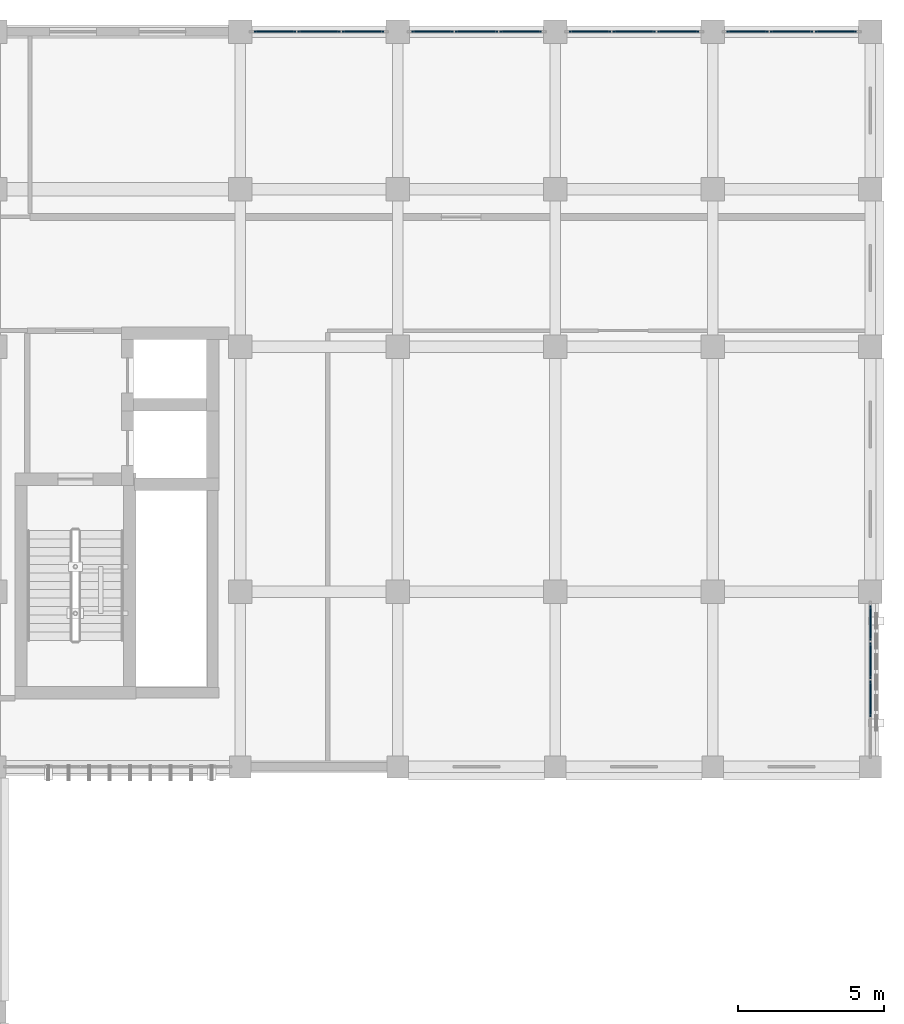
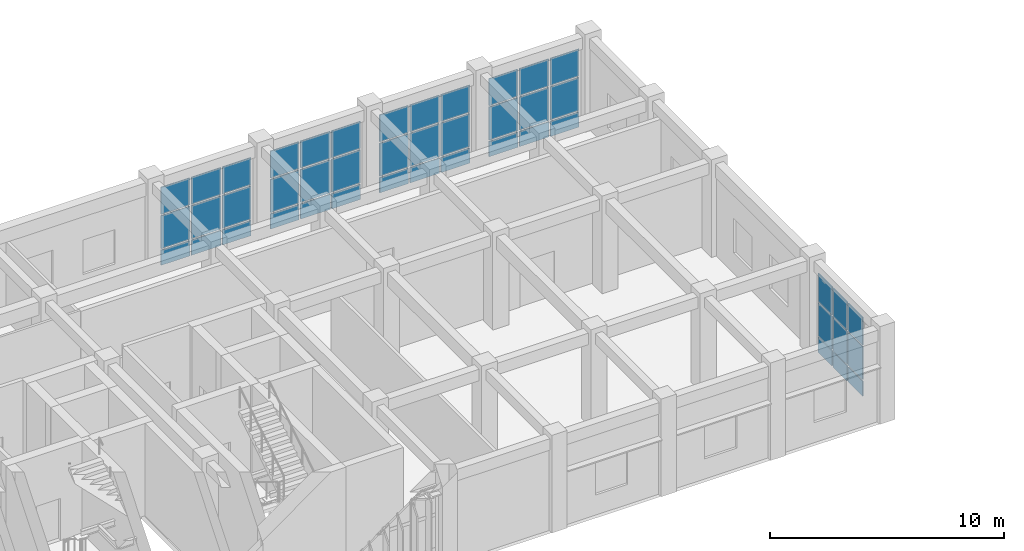
# One storey, part 65 of 93: 45 plates, 5 elements without a shape of their own.
"""IFC4 building model written with IfcOpenShell, lengths in metres."""

from ifc_helpers import new_model, si_unit, direction, frame, origin, origin_2d, place, context, subcontext, project, spatial, rectangle, extrude, material, layer, layer_set, type_object, element, aggregate, save


model = new_model("IFC4")

# Units and contexts
model_context = context("Model", 3, precision=1e-05, world=origin(), true_north=direction((0.0, 1.0)))
body_context = subcontext(model_context, "Body", "Model", "MODEL_VIEW")
ifc_project = project(units=[si_unit("LENGTHUNIT", "METRE"), si_unit("AREAUNIT", "SQUARE_METRE"), si_unit("VOLUMEUNIT", "CUBIC_METRE"), si_unit("PLANEANGLEUNIT", "RADIAN"), si_unit("MASSUNIT", "GRAM", prefix="KILO")], contexts=[model_context])

# Site, building, storey
site_placement = place(None, origin())
site = spatial("IfcSite", under=ifc_project, at=site_placement, CompositionType="ELEMENT")
building_placement = place(site_placement, origin())
building = spatial("IfcBuilding", under=site, at=building_placement, Name="Krzemoval Escarpment Law Courts", CompositionType="ELEMENT")
storey_placement = place(building_placement, frame((0.0, 0.0, 10.199951171875)))
storey = spatial("IfcBuildingStorey", under=building, at=storey_placement, Name="L02", CompositionType="ELEMENT", Elevation=10.199951171875)

# Curtain wall, plates
ifc_material_1 = material(Name="Aluminium 6063-T6", Category="aluminium")
ifc_layer_1 = layer(ifc_material_1, 0.239990234375)
ifc_layer_set_1 = layer_set([ifc_layer_1], Name="Aluminium 6063-T6")
curtain_wall_type = type_object("IfcCurtainWallType", Name="CW-CHMB-4800", PredefinedType="USERDEFINED", material=ifc_layer_set_1)
curtain_wall_1_placement = place(storey_placement, origin())
curtain_wall_1 = element("IfcCurtainWall", 1, at=curtain_wall_1_placement, inside=storey, type_object=curtain_wall_type, Name="Unitised Curtain Wall FCW-L02-088", ObjectType="UNITISED_CURTAIN_WALL", PredefinedType="USERDEFINED")
ifc_material_2 = material(Name="Triple Glazing IGU", Category="glass")
ifc_layer_2 = layer(ifc_material_2, 0.048095703125)
ifc_layer_set_2 = layer_set([ifc_layer_2], Name="Triple Glazing IGU")
plate_type = type_object("IfcPlateType", Name="CWP-GLZ-48", PredefinedType="CURTAIN_PANEL", material=ifc_layer_set_2)
plate_1_placement = place(storey_placement, frame((152.385498046875, 118.800048828125, 0.074951171875), z_axis=(0.0, 0.0, 1.0), x_axis=(1.0, 0.0, 0.0)))
plate_1 = element("IfcPlate", 2, at=plate_1_placement, type_object=plate_type, Name="FCW-L02-088 panel 1.1", PredefinedType="CURTAIN_PANEL", context=body_context, shape_type="SweptSolid", body=[
    extrude(rectangle(XDim=1.4208984375, YDim=0.048095703125, at=origin_2d()), origin(), (0.0, 0.0, 1.0), 0.78759765625),
])
plate_2_placement = place(storey_placement, frame((152.385498046875, 118.800048828125, 0.9375), z_axis=(0.0, 0.0, 1.0), x_axis=(1.0, 0.0, 0.0)))
plate_2 = element("IfcPlate", 3, at=plate_2_placement, type_object=plate_type, Name="FCW-L02-088 panel 1.2", PredefinedType="CURTAIN_PANEL", context=body_context, shape_type="SweptSolid", body=[
    extrude(rectangle(XDim=1.4208984375, YDim=0.048095703125, at=origin_2d()), origin(), (0.0, 0.0, 1.0), 1.72509765625),
])
plate_3_placement = place(storey_placement, frame((152.385498046875, 118.800048828125, 2.73779296875), z_axis=(0.0, 0.0, 1.0), x_axis=(1.0, 0.0, 0.0)))
plate_3 = element("IfcPlate", 4, at=plate_3_placement, type_object=plate_type, Name="FCW-L02-088 panel 1.3", PredefinedType="CURTAIN_PANEL", context=body_context, shape_type="SweptSolid", body=[
    extrude(rectangle(XDim=1.4208984375, YDim=0.048095703125, at=origin_2d()), origin(), (0.0, 0.0, 1.0), 1.407470703125),
])
plate_4_placement = place(storey_placement, frame((153.89990234375, 118.800048828125, 0.074951171875), z_axis=(0.0, 0.0, 1.0), x_axis=(1.0, 0.0, 0.0)))
plate_4 = element("IfcPlate", 5, at=plate_4_placement, type_object=plate_type, Name="FCW-L02-088 panel 2.1", PredefinedType="CURTAIN_PANEL", context=body_context, shape_type="SweptSolid", body=[
    extrude(rectangle(XDim=1.458251953125, YDim=0.048095703125, at=origin_2d()), origin(), (0.0, 0.0, 1.0), 0.78759765625),
])
plate_5_placement = place(storey_placement, frame((153.89990234375, 118.800048828125, 0.9375), z_axis=(0.0, 0.0, 1.0), x_axis=(1.0, 0.0, 0.0)))
plate_5 = element("IfcPlate", 6, at=plate_5_placement, type_object=plate_type, Name="FCW-L02-088 panel 2.2", PredefinedType="CURTAIN_PANEL", context=body_context, shape_type="SweptSolid", body=[
    extrude(rectangle(XDim=1.458251953125, YDim=0.048095703125, at=origin_2d()), origin(), (0.0, 0.0, 1.0), 1.72509765625),
])
plate_6_placement = place(storey_placement, frame((153.89990234375, 118.800048828125, 2.73779296875), z_axis=(0.0, 0.0, 1.0), x_axis=(1.0, 0.0, 0.0)))
plate_6 = element("IfcPlate", 7, at=plate_6_placement, type_object=plate_type, Name="FCW-L02-088 panel 2.3", PredefinedType="CURTAIN_PANEL", context=body_context, shape_type="SweptSolid", body=[
    extrude(rectangle(XDim=1.458251953125, YDim=0.048095703125, at=origin_2d()), origin(), (0.0, 0.0, 1.0), 1.407470703125),
])
plate_7_placement = place(storey_placement, frame((155.41455078125, 118.800048828125, 0.074951171875), z_axis=(0.0, 0.0, 1.0), x_axis=(1.0, 0.0, 0.0)))
plate_7 = element("IfcPlate", 8, at=plate_7_placement, type_object=plate_type, Name="FCW-L02-088 panel 3.1", PredefinedType="CURTAIN_PANEL", context=body_context, shape_type="SweptSolid", body=[
    extrude(rectangle(XDim=1.4208984375, YDim=0.048095703125, at=origin_2d()), origin(), (0.0, 0.0, 1.0), 0.78759765625),
])
plate_8_placement = place(storey_placement, frame((155.41455078125, 118.800048828125, 0.9375), z_axis=(0.0, 0.0, 1.0), x_axis=(1.0, 0.0, 0.0)))
plate_8 = element("IfcPlate", 9, at=plate_8_placement, type_object=plate_type, Name="FCW-L02-088 panel 3.2", PredefinedType="CURTAIN_PANEL", context=body_context, shape_type="SweptSolid", body=[
    extrude(rectangle(XDim=1.4208984375, YDim=0.048095703125, at=origin_2d()), origin(), (0.0, 0.0, 1.0), 1.72509765625),
])
plate_9_placement = place(storey_placement, frame((155.41455078125, 118.800048828125, 2.73779296875), z_axis=(0.0, 0.0, 1.0), x_axis=(1.0, 0.0, 0.0)))
plate_9 = element("IfcPlate", 10, at=plate_9_placement, type_object=plate_type, Name="FCW-L02-088 panel 3.3", PredefinedType="CURTAIN_PANEL", context=body_context, shape_type="SweptSolid", body=[
    extrude(rectangle(XDim=1.4208984375, YDim=0.048095703125, at=origin_2d()), origin(), (0.0, 0.0, 1.0), 1.407470703125),
])
aggregate(curtain_wall_1, [plate_1, plate_2, plate_3, plate_4, plate_5, plate_6, plate_7, plate_8, plate_9])

curtain_wall_2_placement = place(storey_placement, origin())
curtain_wall_2 = element("IfcCurtainWall", 11, at=curtain_wall_2_placement, inside=storey, type_object=curtain_wall_type, Name="Unitised Curtain Wall FCW-L02-089", ObjectType="UNITISED_CURTAIN_WALL", PredefinedType="USERDEFINED")
plate_10_placement = place(storey_placement, frame((157.785400390625, 118.800048828125, 0.074951171875), z_axis=(0.0, 0.0, 1.0), x_axis=(1.0, 0.0, 0.0)))
plate_10 = element("IfcPlate", 12, at=plate_10_placement, type_object=plate_type, Name="FCW-L02-089 panel 1.1", PredefinedType="CURTAIN_PANEL", context=body_context, shape_type="SweptSolid", body=[
    extrude(rectangle(XDim=1.4208984375, YDim=0.048095703125, at=origin_2d()), origin(), (0.0, 0.0, 1.0), 0.78759765625),
])
plate_11_placement = place(storey_placement, frame((157.785400390625, 118.800048828125, 0.9375), z_axis=(0.0, 0.0, 1.0), x_axis=(1.0, 0.0, 0.0)))
plate_11 = element("IfcPlate", 13, at=plate_11_placement, type_object=plate_type, Name="FCW-L02-089 panel 1.2", PredefinedType="CURTAIN_PANEL", context=body_context, shape_type="SweptSolid", body=[
    extrude(rectangle(XDim=1.4208984375, YDim=0.048095703125, at=origin_2d()), origin(), (0.0, 0.0, 1.0), 1.72509765625),
])
plate_12_placement = place(storey_placement, frame((157.785400390625, 118.800048828125, 2.73779296875), z_axis=(0.0, 0.0, 1.0), x_axis=(1.0, 0.0, 0.0)))
plate_12 = element("IfcPlate", 14, at=plate_12_placement, type_object=plate_type, Name="FCW-L02-089 panel 1.3", PredefinedType="CURTAIN_PANEL", context=body_context, shape_type="SweptSolid", body=[
    extrude(rectangle(XDim=1.4208984375, YDim=0.048095703125, at=origin_2d()), origin(), (0.0, 0.0, 1.0), 1.407470703125),
])
plate_13_placement = place(storey_placement, frame((159.300048828125, 118.800048828125, 0.074951171875), z_axis=(0.0, 0.0, 1.0), x_axis=(1.0, 0.0, 0.0)))
plate_13 = element("IfcPlate", 15, at=plate_13_placement, type_object=plate_type, Name="FCW-L02-089 panel 2.1", PredefinedType="CURTAIN_PANEL", context=body_context, shape_type="SweptSolid", body=[
    extrude(rectangle(XDim=1.458251953125, YDim=0.048095703125, at=origin_2d()), origin(), (0.0, 0.0, 1.0), 0.78759765625),
])
plate_14_placement = place(storey_placement, frame((159.300048828125, 118.800048828125, 0.9375), z_axis=(0.0, 0.0, 1.0), x_axis=(1.0, 0.0, 0.0)))
plate_14 = element("IfcPlate", 16, at=plate_14_placement, type_object=plate_type, Name="FCW-L02-089 panel 2.2", PredefinedType="CURTAIN_PANEL", context=body_context, shape_type="SweptSolid", body=[
    extrude(rectangle(XDim=1.458251953125, YDim=0.048095703125, at=origin_2d()), origin(), (0.0, 0.0, 1.0), 1.72509765625),
])
plate_15_placement = place(storey_placement, frame((159.300048828125, 118.800048828125, 2.73779296875), z_axis=(0.0, 0.0, 1.0), x_axis=(1.0, 0.0, 0.0)))
plate_15 = element("IfcPlate", 17, at=plate_15_placement, type_object=plate_type, Name="FCW-L02-089 panel 2.3", PredefinedType="CURTAIN_PANEL", context=body_context, shape_type="SweptSolid", body=[
    extrude(rectangle(XDim=1.458251953125, YDim=0.048095703125, at=origin_2d()), origin(), (0.0, 0.0, 1.0), 1.407470703125),
])
plate_16_placement = place(storey_placement, frame((160.814697265625, 118.800048828125, 0.074951171875), z_axis=(0.0, 0.0, 1.0), x_axis=(1.0, 0.0, 0.0)))
plate_16 = element("IfcPlate", 18, at=plate_16_placement, type_object=plate_type, Name="FCW-L02-089 panel 3.1", PredefinedType="CURTAIN_PANEL", context=body_context, shape_type="SweptSolid", body=[
    extrude(rectangle(XDim=1.4208984375, YDim=0.048095703125, at=origin_2d()), origin(), (0.0, 0.0, 1.0), 0.78759765625),
])
plate_17_placement = place(storey_placement, frame((160.814697265625, 118.800048828125, 0.9375), z_axis=(0.0, 0.0, 1.0), x_axis=(1.0, 0.0, 0.0)))
plate_17 = element("IfcPlate", 19, at=plate_17_placement, type_object=plate_type, Name="FCW-L02-089 panel 3.2", PredefinedType="CURTAIN_PANEL", context=body_context, shape_type="SweptSolid", body=[
    extrude(rectangle(XDim=1.4208984375, YDim=0.048095703125, at=origin_2d()), origin(), (0.0, 0.0, 1.0), 1.72509765625),
])
plate_18_placement = place(storey_placement, frame((160.814697265625, 118.800048828125, 2.73779296875), z_axis=(0.0, 0.0, 1.0), x_axis=(1.0, 0.0, 0.0)))
plate_18 = element("IfcPlate", 20, at=plate_18_placement, type_object=plate_type, Name="FCW-L02-089 panel 3.3", PredefinedType="CURTAIN_PANEL", context=body_context, shape_type="SweptSolid", body=[
    extrude(rectangle(XDim=1.4208984375, YDim=0.048095703125, at=origin_2d()), origin(), (0.0, 0.0, 1.0), 1.407470703125),
])
aggregate(curtain_wall_2, [plate_10, plate_11, plate_12, plate_13, plate_14, plate_15, plate_16, plate_17, plate_18])

curtain_wall_3_placement = place(storey_placement, origin())
curtain_wall_3 = element("IfcCurtainWall", 21, at=curtain_wall_3_placement, inside=storey, type_object=curtain_wall_type, Name="Unitised Curtain Wall FCW-L02-090", ObjectType="UNITISED_CURTAIN_WALL", PredefinedType="USERDEFINED")
plate_19_placement = place(storey_placement, frame((163.185302734375, 118.800048828125, 0.074951171875), z_axis=(0.0, 0.0, 1.0), x_axis=(1.0, 0.0, 0.0)))
plate_19 = element("IfcPlate", 22, at=plate_19_placement, type_object=plate_type, Name="FCW-L02-090 panel 1.1", PredefinedType="CURTAIN_PANEL", context=body_context, shape_type="SweptSolid", body=[
    extrude(rectangle(XDim=1.4208984375, YDim=0.048095703125, at=origin_2d()), origin(), (0.0, 0.0, 1.0), 0.78759765625),
])
plate_20_placement = place(storey_placement, frame((163.185302734375, 118.800048828125, 0.9375), z_axis=(0.0, 0.0, 1.0), x_axis=(1.0, 0.0, 0.0)))
plate_20 = element("IfcPlate", 23, at=plate_20_placement, type_object=plate_type, Name="FCW-L02-090 panel 1.2", PredefinedType="CURTAIN_PANEL", context=body_context, shape_type="SweptSolid", body=[
    extrude(rectangle(XDim=1.4208984375, YDim=0.048095703125, at=origin_2d()), origin(), (0.0, 0.0, 1.0), 1.72509765625),
])
plate_21_placement = place(storey_placement, frame((163.185302734375, 118.800048828125, 2.73779296875), z_axis=(0.0, 0.0, 1.0), x_axis=(1.0, 0.0, 0.0)))
plate_21 = element("IfcPlate", 24, at=plate_21_placement, type_object=plate_type, Name="FCW-L02-090 panel 1.3", PredefinedType="CURTAIN_PANEL", context=body_context, shape_type="SweptSolid", body=[
    extrude(rectangle(XDim=1.4208984375, YDim=0.048095703125, at=origin_2d()), origin(), (0.0, 0.0, 1.0), 1.407470703125),
])
plate_22_placement = place(storey_placement, frame((164.699951171875, 118.800048828125, 0.074951171875), z_axis=(0.0, 0.0, 1.0), x_axis=(1.0, 0.0, 0.0)))
plate_22 = element("IfcPlate", 25, at=plate_22_placement, type_object=plate_type, Name="FCW-L02-090 panel 2.1", PredefinedType="CURTAIN_PANEL", context=body_context, shape_type="SweptSolid", body=[
    extrude(rectangle(XDim=1.458251953125, YDim=0.048095703125, at=origin_2d()), origin(), (0.0, 0.0, 1.0), 0.78759765625),
])
plate_23_placement = place(storey_placement, frame((164.699951171875, 118.800048828125, 0.9375), z_axis=(0.0, 0.0, 1.0), x_axis=(1.0, 0.0, 0.0)))
plate_23 = element("IfcPlate", 26, at=plate_23_placement, type_object=plate_type, Name="FCW-L02-090 panel 2.2", PredefinedType="CURTAIN_PANEL", context=body_context, shape_type="SweptSolid", body=[
    extrude(rectangle(XDim=1.458251953125, YDim=0.048095703125, at=origin_2d()), origin(), (0.0, 0.0, 1.0), 1.72509765625),
])
plate_24_placement = place(storey_placement, frame((164.699951171875, 118.800048828125, 2.73779296875), z_axis=(0.0, 0.0, 1.0), x_axis=(1.0, 0.0, 0.0)))
plate_24 = element("IfcPlate", 27, at=plate_24_placement, type_object=plate_type, Name="FCW-L02-090 panel 2.3", PredefinedType="CURTAIN_PANEL", context=body_context, shape_type="SweptSolid", body=[
    extrude(rectangle(XDim=1.458251953125, YDim=0.048095703125, at=origin_2d()), origin(), (0.0, 0.0, 1.0), 1.407470703125),
])
plate_25_placement = place(storey_placement, frame((166.214599609375, 118.800048828125, 0.074951171875), z_axis=(0.0, 0.0, 1.0), x_axis=(1.0, 0.0, 0.0)))
plate_25 = element("IfcPlate", 28, at=plate_25_placement, type_object=plate_type, Name="FCW-L02-090 panel 3.1", PredefinedType="CURTAIN_PANEL", context=body_context, shape_type="SweptSolid", body=[
    extrude(rectangle(XDim=1.4208984375, YDim=0.048095703125, at=origin_2d()), origin(), (0.0, 0.0, 1.0), 0.78759765625),
])
plate_26_placement = place(storey_placement, frame((166.214599609375, 118.800048828125, 0.9375), z_axis=(0.0, 0.0, 1.0), x_axis=(1.0, 0.0, 0.0)))
plate_26 = element("IfcPlate", 29, at=plate_26_placement, type_object=plate_type, Name="FCW-L02-090 panel 3.2", PredefinedType="CURTAIN_PANEL", context=body_context, shape_type="SweptSolid", body=[
    extrude(rectangle(XDim=1.4208984375, YDim=0.048095703125, at=origin_2d()), origin(), (0.0, 0.0, 1.0), 1.72509765625),
])
plate_27_placement = place(storey_placement, frame((166.214599609375, 118.800048828125, 2.73779296875), z_axis=(0.0, 0.0, 1.0), x_axis=(1.0, 0.0, 0.0)))
plate_27 = element("IfcPlate", 30, at=plate_27_placement, type_object=plate_type, Name="FCW-L02-090 panel 3.3", PredefinedType="CURTAIN_PANEL", context=body_context, shape_type="SweptSolid", body=[
    extrude(rectangle(XDim=1.4208984375, YDim=0.048095703125, at=origin_2d()), origin(), (0.0, 0.0, 1.0), 1.407470703125),
])
aggregate(curtain_wall_3, [plate_19, plate_20, plate_21, plate_22, plate_23, plate_24, plate_25, plate_26, plate_27])

curtain_wall_4_placement = place(storey_placement, origin())
curtain_wall_4 = element("IfcCurtainWall", 31, at=curtain_wall_4_placement, inside=storey, type_object=curtain_wall_type, Name="Unitised Curtain Wall FCW-L02-091", ObjectType="UNITISED_CURTAIN_WALL", PredefinedType="USERDEFINED")
plate_28_placement = place(storey_placement, frame((168.58544921875, 118.800048828125, 0.074951171875), z_axis=(0.0, 0.0, 1.0), x_axis=(1.0, 0.0, 0.0)))
plate_28 = element("IfcPlate", 32, at=plate_28_placement, type_object=plate_type, Name="FCW-L02-091 panel 1.1", PredefinedType="CURTAIN_PANEL", context=body_context, shape_type="SweptSolid", body=[
    extrude(rectangle(XDim=1.4208984375, YDim=0.048095703125, at=origin_2d()), origin(), (0.0, 0.0, 1.0), 0.78759765625),
])
plate_29_placement = place(storey_placement, frame((168.58544921875, 118.800048828125, 0.9375), z_axis=(0.0, 0.0, 1.0), x_axis=(1.0, 0.0, 0.0)))
plate_29 = element("IfcPlate", 33, at=plate_29_placement, type_object=plate_type, Name="FCW-L02-091 panel 1.2", PredefinedType="CURTAIN_PANEL", context=body_context, shape_type="SweptSolid", body=[
    extrude(rectangle(XDim=1.4208984375, YDim=0.048095703125, at=origin_2d()), origin(), (0.0, 0.0, 1.0), 1.72509765625),
])
plate_30_placement = place(storey_placement, frame((168.58544921875, 118.800048828125, 2.73779296875), z_axis=(0.0, 0.0, 1.0), x_axis=(1.0, 0.0, 0.0)))
plate_30 = element("IfcPlate", 34, at=plate_30_placement, type_object=plate_type, Name="FCW-L02-091 panel 1.3", PredefinedType="CURTAIN_PANEL", context=body_context, shape_type="SweptSolid", body=[
    extrude(rectangle(XDim=1.4208984375, YDim=0.048095703125, at=origin_2d()), origin(), (0.0, 0.0, 1.0), 1.407470703125),
])
plate_31_placement = place(storey_placement, frame((170.10009765625, 118.800048828125, 0.074951171875), z_axis=(0.0, 0.0, 1.0), x_axis=(1.0, 0.0, 0.0)))
plate_31 = element("IfcPlate", 35, at=plate_31_placement, type_object=plate_type, Name="FCW-L02-091 panel 2.1", PredefinedType="CURTAIN_PANEL", context=body_context, shape_type="SweptSolid", body=[
    extrude(rectangle(XDim=1.458251953125, YDim=0.048095703125, at=origin_2d()), origin(), (0.0, 0.0, 1.0), 0.78759765625),
])
plate_32_placement = place(storey_placement, frame((170.10009765625, 118.800048828125, 0.9375), z_axis=(0.0, 0.0, 1.0), x_axis=(1.0, 0.0, 0.0)))
plate_32 = element("IfcPlate", 36, at=plate_32_placement, type_object=plate_type, Name="FCW-L02-091 panel 2.2", PredefinedType="CURTAIN_PANEL", context=body_context, shape_type="SweptSolid", body=[
    extrude(rectangle(XDim=1.458251953125, YDim=0.048095703125, at=origin_2d()), origin(), (0.0, 0.0, 1.0), 1.72509765625),
])
plate_33_placement = place(storey_placement, frame((170.10009765625, 118.800048828125, 2.73779296875), z_axis=(0.0, 0.0, 1.0), x_axis=(1.0, 0.0, 0.0)))
plate_33 = element("IfcPlate", 37, at=plate_33_placement, type_object=plate_type, Name="FCW-L02-091 panel 2.3", PredefinedType="CURTAIN_PANEL", context=body_context, shape_type="SweptSolid", body=[
    extrude(rectangle(XDim=1.458251953125, YDim=0.048095703125, at=origin_2d()), origin(), (0.0, 0.0, 1.0), 1.407470703125),
])
plate_34_placement = place(storey_placement, frame((171.614501953125, 118.800048828125, 0.074951171875), z_axis=(0.0, 0.0, 1.0), x_axis=(1.0, 0.0, 0.0)))
plate_34 = element("IfcPlate", 38, at=plate_34_placement, type_object=plate_type, Name="FCW-L02-091 panel 3.1", PredefinedType="CURTAIN_PANEL", context=body_context, shape_type="SweptSolid", body=[
    extrude(rectangle(XDim=1.4208984375, YDim=0.048095703125, at=origin_2d()), origin(), (0.0, 0.0, 1.0), 0.78759765625),
])
plate_35_placement = place(storey_placement, frame((171.614501953125, 118.800048828125, 0.9375), z_axis=(0.0, 0.0, 1.0), x_axis=(1.0, 0.0, 0.0)))
plate_35 = element("IfcPlate", 39, at=plate_35_placement, type_object=plate_type, Name="FCW-L02-091 panel 3.2", PredefinedType="CURTAIN_PANEL", context=body_context, shape_type="SweptSolid", body=[
    extrude(rectangle(XDim=1.4208984375, YDim=0.048095703125, at=origin_2d()), origin(), (0.0, 0.0, 1.0), 1.72509765625),
])
plate_36_placement = place(storey_placement, frame((171.614501953125, 118.800048828125, 2.73779296875), z_axis=(0.0, 0.0, 1.0), x_axis=(1.0, 0.0, 0.0)))
plate_36 = element("IfcPlate", 40, at=plate_36_placement, type_object=plate_type, Name="FCW-L02-091 panel 3.3", PredefinedType="CURTAIN_PANEL", context=body_context, shape_type="SweptSolid", body=[
    extrude(rectangle(XDim=1.4208984375, YDim=0.048095703125, at=origin_2d()), origin(), (0.0, 0.0, 1.0), 1.407470703125),
])
aggregate(curtain_wall_4, [plate_28, plate_29, plate_30, plate_31, plate_32, plate_33, plate_34, plate_35, plate_36])

curtain_wall_5_placement = place(storey_placement, origin())
curtain_wall_5 = element("IfcCurtainWall", 41, at=curtain_wall_5_placement, inside=storey, type_object=curtain_wall_type, Name="Unitised Curtain Wall FCW-L02-092", ObjectType="UNITISED_CURTAIN_WALL", PredefinedType="USERDEFINED")
plate_37_placement = place(storey_placement, frame((172.800048828125, 98.528076171875, 0.074951171875), z_axis=(0.0, 0.0, 1.0), x_axis=(0.0, -1.0, 0.0)))
plate_37 = element("IfcPlate", 42, at=plate_37_placement, type_object=plate_type, Name="FCW-L02-092 panel 1.1", PredefinedType="CURTAIN_PANEL", context=body_context, shape_type="SweptSolid", body=[
    extrude(rectangle(XDim=1.19384765625, YDim=0.048095703125, at=origin_2d()), origin(), (0.0, 0.0, 1.0), 0.78759765625),
])
plate_38_placement = place(storey_placement, frame((172.800048828125, 98.528076171875, 0.9375), z_axis=(0.0, 0.0, 1.0), x_axis=(0.0, -1.0, 0.0)))
plate_38 = element("IfcPlate", 43, at=plate_38_placement, type_object=plate_type, Name="FCW-L02-092 panel 1.2", PredefinedType="CURTAIN_PANEL", context=body_context, shape_type="SweptSolid", body=[
    extrude(rectangle(XDim=1.19384765625, YDim=0.048095703125, at=origin_2d()), origin(), (0.0, 0.0, 1.0), 1.72509765625),
])
plate_39_placement = place(storey_placement, frame((172.800048828125, 98.528076171875, 2.737548828125), z_axis=(0.0, 0.0, 1.0), x_axis=(0.0, -1.0, 0.0)))
plate_39 = element("IfcPlate", 44, at=plate_39_placement, type_object=plate_type, Name="FCW-L02-092 panel 1.3", PredefinedType="CURTAIN_PANEL", context=body_context, shape_type="SweptSolid", body=[
    extrude(rectangle(XDim=1.19384765625, YDim=0.048095703125, at=origin_2d()), origin(), (0.0, 0.0, 1.0), 1.45751953125),
])
plate_40_placement = place(storey_placement, frame((172.800048828125, 97.24072265625, 0.074951171875), z_axis=(0.0, 0.0, 1.0), x_axis=(0.0, -1.0, 0.0)))
plate_40 = element("IfcPlate", 45, at=plate_40_placement, type_object=plate_type, Name="FCW-L02-092 panel 2.1", PredefinedType="CURTAIN_PANEL", context=body_context, shape_type="SweptSolid", body=[
    extrude(rectangle(XDim=1.231201171875, YDim=0.048095703125, at=origin_2d()), origin(), (0.0, 0.0, 1.0), 0.78759765625),
])
plate_41_placement = place(storey_placement, frame((172.800048828125, 97.24072265625, 0.9375), z_axis=(0.0, 0.0, 1.0), x_axis=(0.0, -1.0, 0.0)))
plate_41 = element("IfcPlate", 46, at=plate_41_placement, type_object=plate_type, Name="FCW-L02-092 panel 2.2", PredefinedType="CURTAIN_PANEL", context=body_context, shape_type="SweptSolid", body=[
    extrude(rectangle(XDim=1.231201171875, YDim=0.048095703125, at=origin_2d()), origin(), (0.0, 0.0, 1.0), 1.72509765625),
])
plate_42_placement = place(storey_placement, frame((172.800048828125, 97.24072265625, 2.737548828125), z_axis=(0.0, 0.0, 1.0), x_axis=(0.0, -1.0, 0.0)))
plate_42 = element("IfcPlate", 47, at=plate_42_placement, type_object=plate_type, Name="FCW-L02-092 panel 2.3", PredefinedType="CURTAIN_PANEL", context=body_context, shape_type="SweptSolid", body=[
    extrude(rectangle(XDim=1.231201171875, YDim=0.048095703125, at=origin_2d()), origin(), (0.0, 0.0, 1.0), 1.45751953125),
])
plate_43_placement = place(storey_placement, frame((172.800048828125, 95.934326171875, 0.074951171875), z_axis=(0.0, 0.0, 1.0), x_axis=(0.0, -1.0, 0.0)))
plate_43 = element("IfcPlate", 48, at=plate_43_placement, type_object=plate_type, Name="FCW-L02-092 panel 3.1", PredefinedType="CURTAIN_PANEL", context=body_context, shape_type="SweptSolid", body=[
    extrude(rectangle(XDim=1.231201171875, YDim=0.048095703125, at=origin_2d()), origin(), (0.0, 0.0, 1.0), 0.78759765625),
])
plate_44_placement = place(storey_placement, frame((172.800048828125, 95.934326171875, 0.9375), z_axis=(0.0, 0.0, 1.0), x_axis=(0.0, -1.0, 0.0)))
plate_44 = element("IfcPlate", 49, at=plate_44_placement, type_object=plate_type, Name="FCW-L02-092 panel 3.2", PredefinedType="CURTAIN_PANEL", context=body_context, shape_type="SweptSolid", body=[
    extrude(rectangle(XDim=1.231201171875, YDim=0.048095703125, at=origin_2d()), origin(), (0.0, 0.0, 1.0), 1.72509765625),
])
plate_45_placement = place(storey_placement, frame((172.800048828125, 95.934326171875, 2.737548828125), z_axis=(0.0, 0.0, 1.0), x_axis=(0.0, -1.0, 0.0)))
plate_45 = element("IfcPlate", 50, at=plate_45_placement, type_object=plate_type, Name="FCW-L02-092 panel 3.3", PredefinedType="CURTAIN_PANEL", context=body_context, shape_type="SweptSolid", body=[
    extrude(rectangle(XDim=1.231201171875, YDim=0.048095703125, at=origin_2d()), origin(), (0.0, 0.0, 1.0), 1.45751953125),
])
aggregate(curtain_wall_5, [plate_37, plate_38, plate_39, plate_40, plate_41, plate_42, plate_43, plate_44, plate_45])

save(model, "model.ifc")
